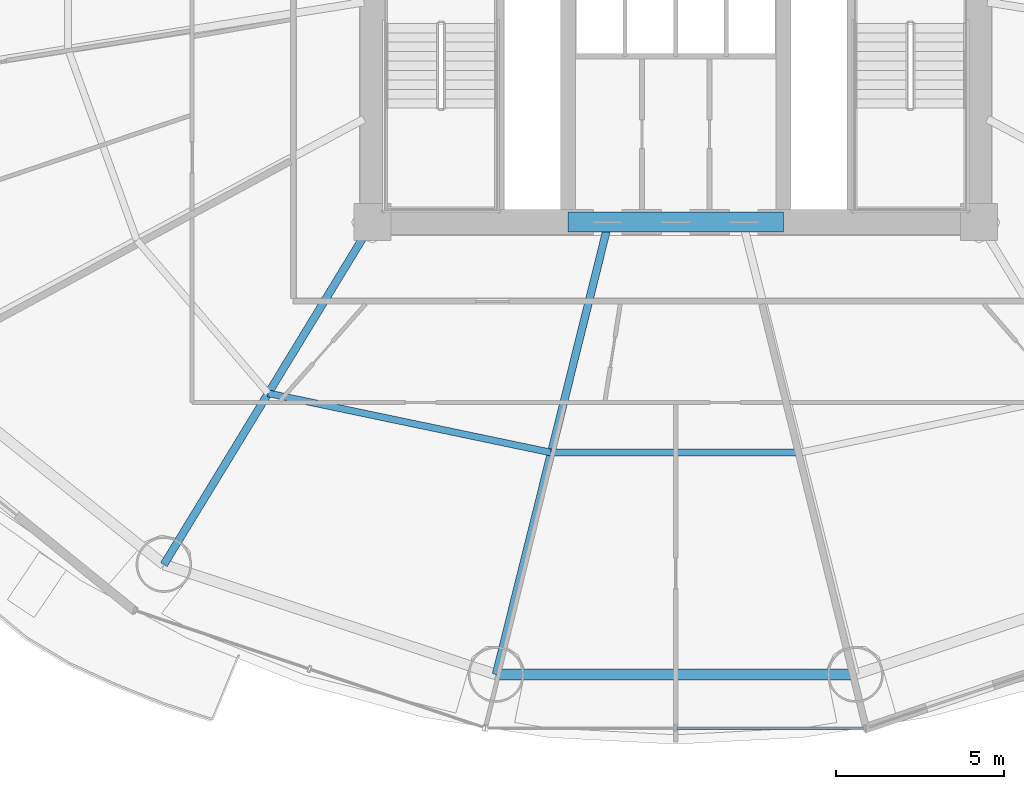
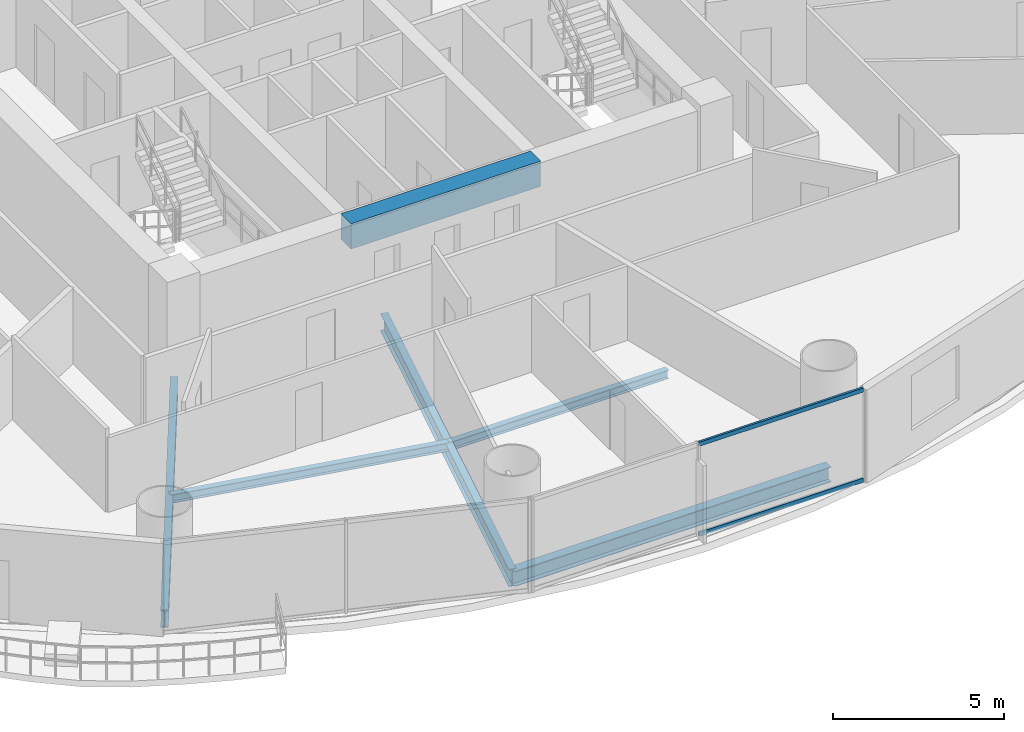
# One storey, part 5 of 29: 6 beams, 2 members, 1 element without a shape of its own.
"""IFC4 building model written with IfcOpenShell, lengths in metres."""

from ifc_helpers import new_model, si_unit, direction, frame, origin, origin_2d, place, context, subcontext, project, spatial, rectangle, hollow_rectangle, i_section, extrude, source, transform, mapped, material, material_profile, profile_set, type_object, element, aggregate, save


model = new_model("IFC4")

# Units and contexts
model_context = context("Model", 3, precision=1e-05, world=origin(), true_north=direction((-0.2419218956, 0.970295726276)))
body_context = subcontext(model_context, "Body", "Model", "MODEL_VIEW")
ifc_project = project(units=[si_unit("LENGTHUNIT", "METRE"), si_unit("AREAUNIT", "SQUARE_METRE"), si_unit("VOLUMEUNIT", "CUBIC_METRE"), si_unit("PLANEANGLEUNIT", "RADIAN"), si_unit("MASSUNIT", "GRAM", prefix="KILO")], contexts=[model_context])

# Site, building, storey
site_placement = place(None, origin())
site = spatial("IfcSite", under=ifc_project, at=site_placement, CompositionType="ELEMENT")
building_placement = place(site_placement, origin())
building = spatial("IfcBuilding", under=site, at=building_placement, Name="Cobrevalo Terracotta Tower", CompositionType="ELEMENT")
storey_placement = place(building_placement, frame((0.0, 0.0, 67.199951171875)))
storey = spatial("IfcBuildingStorey", under=building, at=storey_placement, Name="L17", CompositionType="ELEMENT", Elevation=67.199951171875)

# Beams
ifc_material_1 = material(Name="Concrete C60", Category="concrete")
ifc_material_profile_1 = material_profile(ifc_material_1, rectangle(XDim=0.60009765625, YDim=0.89990234375, at=origin_2d()), Name="RC CB 600x900")
ifc_profile_set_1 = profile_set([ifc_material_profile_1], Name="Concrete C60")
beam_type_1 = type_object("IfcBeamType", Name="Structural Beam RC CB 600x900 (Concrete C60)", PredefinedType="BEAM", material=ifc_profile_set_1)
beam_1_placement = place(storey_placement, frame((34.800048828125, 18.800048828125, 2.8701171875), z_axis=(1.0, 0.0, 0.0), x_axis=(0.0, 1.0, 0.0)))
element("IfcBeam", 1, at=beam_1_placement, inside=storey, type_object=beam_type_1, Name="L17 core coupling beam 1", PredefinedType="BEAM", context=body_context, shape_type="SweptSolid", body=[
    extrude(rectangle(XDim=0.60009765625, YDim=0.89990234375, at=origin_2d()), origin(), (0.0, 0.0, 1.0), 6.39990234375),
])
ifc_material_2 = material(Name="Steel S355", Category="steel")
ifc_material_profile_2 = material_profile(ifc_material_2, i_section(OverallWidth=0.22998046875, OverallDepth=0.616943359375, WebThickness=0.01318359375, FlangeThickness=0.022216796875, at=origin_2d()), Name="W 610x140")
ifc_profile_set_2 = profile_set([ifc_material_profile_2], Name="Steel S355")
beam_type_2 = type_object("IfcBeamType", Name="Structural Beam W 610x140 (Steel S355)", PredefinedType="BEAM", material=ifc_profile_set_2)
beam_2_placement = place(storey_placement, frame((22.80517578125, 8.63232421875, -0.58837890625), z_axis=(0.520300780853, 0.853983077961, 0.0), x_axis=(-0.853983077961, 0.520300780853, 0.0)))
element("IfcBeam", 2, at=beam_2_placement, inside=storey, type_object=beam_type_2, Name="L17 radial floor girder 11", PredefinedType="BEAM", context=body_context, shape_type="SweptSolid", body=[
    extrude(i_section(OverallWidth=0.22998046875, OverallDepth=0.616943359375, WebThickness=0.01318359375, FlangeThickness=0.022216796875, at=origin_2d()), origin(), (0.0, 0.0, 1.0), 11.90625),
])
beam_3_placement = place(storey_placement, frame((32.664306640625, 5.369873046875, -0.58837890625), z_axis=(0.241600470374, 0.970375810042, 0.0), x_axis=(-0.970375810042, 0.241600470374, 0.0)))
element("IfcBeam", 3, at=beam_3_placement, inside=storey, type_object=beam_type_2, Name="L17 radial floor girder 12", PredefinedType="BEAM", context=body_context, shape_type="SweptSolid", body=[
    extrude(i_section(OverallWidth=0.22998046875, OverallDepth=0.616943359375, WebThickness=0.01318359375, FlangeThickness=0.022216796875, at=origin_2d()), origin(), (0.0, 0.0, 1.0), 13.5771484375),
])
ifc_material_profile_3 = material_profile(ifc_material_2, i_section(OverallWidth=0.2041015625, OverallDepth=0.305908203125, WebThickness=0.008544921875, FlangeThickness=0.0146484375, at=origin_2d()), Name="W 310x67")
ifc_profile_set_3 = profile_set([ifc_material_profile_3], Name="Steel S355")
beam_type_3 = type_object("IfcBeamType", Name="Structural Joist W 310x67 (Steel S355)", PredefinedType="JOIST", material=ifc_profile_set_3)
beam_4_placement = place(storey_placement, frame((25.902587890625, 13.71630859375, -0.432861328125), z_axis=(0.978784523904, -0.204892302848, 0.0), x_axis=(0.204892302848, 0.978784523904, 0.0)))
element("IfcBeam", 4, at=beam_4_placement, inside=storey, type_object=beam_type_3, Name="L17 circumferential secondary floor joist 11", PredefinedType="JOIST", context=body_context, shape_type="SweptSolid", body=[
    extrude(i_section(OverallWidth=0.2041015625, OverallDepth=0.305908203125, WebThickness=0.008544921875, FlangeThickness=0.0146484375, at=origin_2d()), origin(), (0.0, 0.0, 1.0), 8.583984375),
])
beam_5_placement = place(storey_placement, frame((34.304443359375, 11.95751953125, -0.432861328125), z_axis=(1.0, 0.0, 0.0), x_axis=(0.0, 1.0, 0.0)))
element("IfcBeam", 5, at=beam_5_placement, inside=storey, type_object=beam_type_3, Name="L17 circumferential secondary floor joist 12", PredefinedType="JOIST", context=body_context, shape_type="SweptSolid", body=[
    extrude(i_section(OverallWidth=0.2041015625, OverallDepth=0.305908203125, WebThickness=0.008544921875, FlangeThickness=0.0146484375, at=origin_2d()), origin(), (0.0, 0.0, 1.0), 7.39111328125),
])
ifc_material_profile_4 = material_profile(ifc_material_2, i_section(OverallWidth=0.31201171875, OverallDepth=0.54296875, WebThickness=0.0126953125, FlangeThickness=0.020263671875, at=origin_2d()), Name="W 530x150")
ifc_profile_set_4 = profile_set([ifc_material_profile_4], Name="Steel S355")
beam_type_4 = type_object("IfcBeamType", Name="Structural Spandrel W 530x150 (Steel S355)", PredefinedType="SPANDREL", material=ifc_profile_set_4)
beam_6_placement = place(storey_placement, frame((32.664306640625, 5.369873046875, -0.551513671875), z_axis=(1.0, 0.0, 0.0), x_axis=(0.0, 1.0, 0.0)))
element("IfcBeam", 6, at=beam_6_placement, inside=storey, type_object=beam_type_4, Name="L17 perimeter ring spandrel 12", PredefinedType="SPANDREL", context=body_context, shape_type="SweptSolid", body=[
    extrude(i_section(OverallWidth=0.31201171875, OverallDepth=0.54296875, WebThickness=0.0126953125, FlangeThickness=0.020263671875, at=origin_2d()), origin(), (0.0, 0.0, 1.0), 10.67138671875),
])

# Curtain wall, members
ifc_material_3 = material(Name="Anodized aluminium", Category="aluminium")
curtain_wall_type = type_object("IfcCurtainWallType", Name="Lower-tower unitised acoustic low-E curtain wall CW-U1", PredefinedType="NOTDEFINED", material=ifc_material_3)
curtain_wall_placement = place(storey_placement, origin())
curtain_wall = element("IfcCurtainWall", 7, at=curtain_wall_placement, inside=storey, type_object=curtain_wall_type, Name="L17 curtain wall CW-L17-S12", PredefinedType="NOTDEFINED")
ifc_material_profile_5 = material_profile(ifc_material_3, hollow_rectangle(XDim=0.074951171875, YDim=0.14990234375, WallThickness=0.00439453125, at=origin_2d()), Name="CWT 75x150")
ifc_profile_set_5 = profile_set([ifc_material_profile_5], Name="Anodized aluminium")
member_type = type_object("IfcMemberType", Name="Tower unitised aluminium transom 75x150", PredefinedType="USERDEFINED", material=ifc_profile_set_5)
shared_shape = source(origin(), body_context, "Body", "SweptSolid", [
    extrude(hollow_rectangle(XDim=0.074951171875, YDim=0.14990234375, WallThickness=0.00439453125, at=origin_2d()), origin(), (0.0, 0.0, 1.0), 5.53173828125),
])
member_1_placement = place(storey_placement, frame((38.0400390625, 3.781005859375, 0.050048828125), z_axis=(1.0, 0.0, 0.0), x_axis=(0.0, 1.0, 0.0)))
member_1 = element("IfcMember", 8, at=member_1_placement, type_object=member_type, Name="CW-L17-S12 transom B02-T1", ObjectType="TRANSOM", PredefinedType="USERDEFINED", context=body_context, shape_type="MappedRepresentation", body=[
    mapped(shared_shape, transform((0.0, 0.0, 0.0), scale=1.0)),
])
member_2_placement = place(storey_placement, frame((38.0400390625, 3.781005859375, 3.27001953125), z_axis=(1.0, 0.0, 0.0), x_axis=(0.0, 1.0, 0.0)))
member_2 = element("IfcMember", 9, at=member_2_placement, type_object=member_type, Name="CW-L17-S12 transom B02-T2", ObjectType="TRANSOM", PredefinedType="USERDEFINED", context=body_context, shape_type="MappedRepresentation", body=[
    mapped(shared_shape, transform((0.0, 0.0, 0.0), scale=1.0)),
])
aggregate(curtain_wall, [member_1, member_2])

save(model, "model.ifc")
